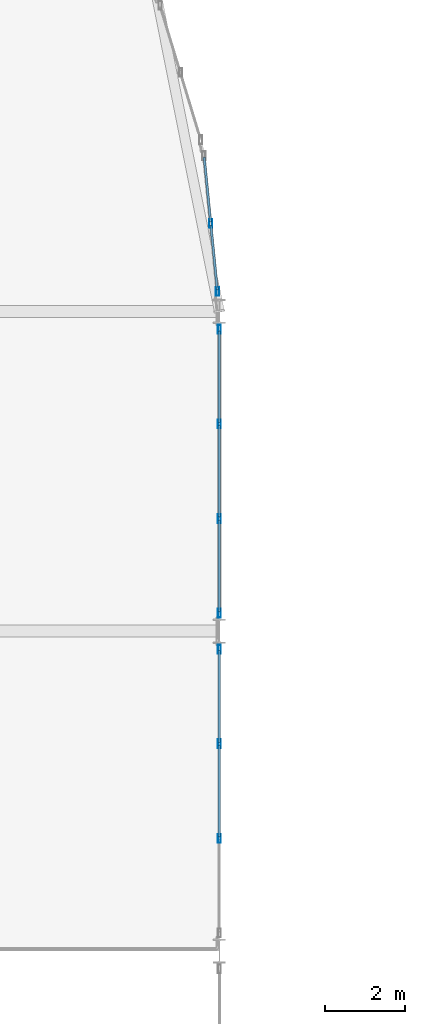
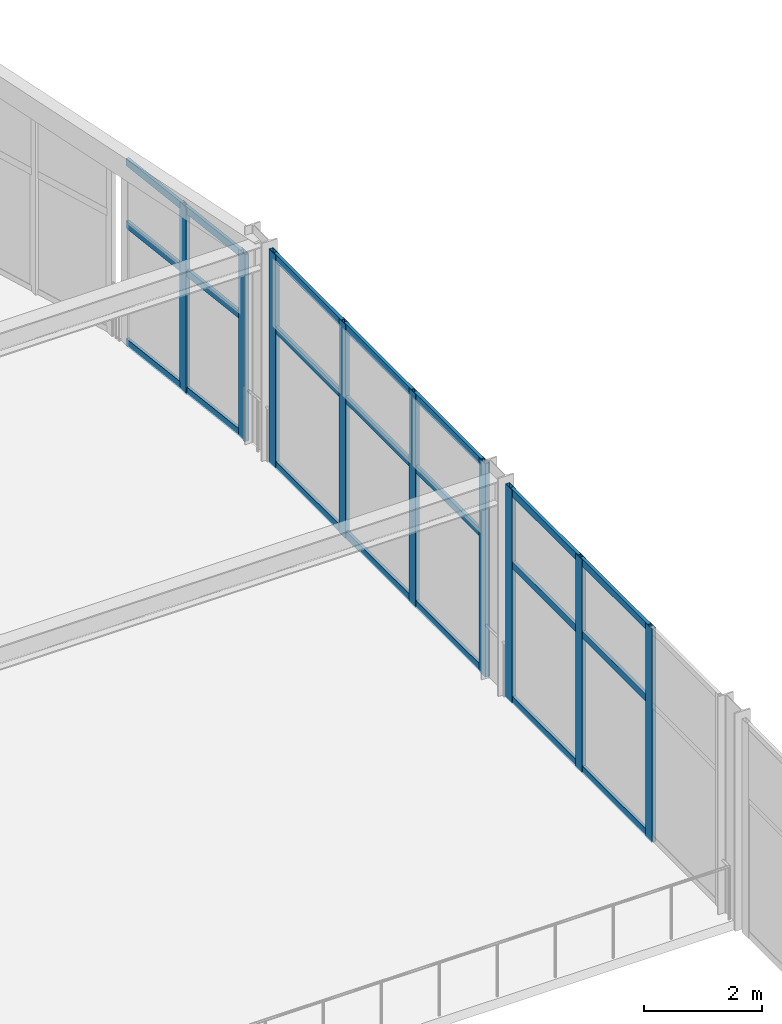
# One storey, part 47 of 105: 30 members, 3 elements without a shape of their own.
"""IFC4 building model written with IfcOpenShell, lengths in metres."""

from ifc_helpers import new_model, si_unit, direction, frame, origin, origin_2d, place, context, subcontext, project, spatial, hollow_rectangle, extrude, material, layer, layer_set, material_profile, profile_set, type_object, element, aggregate, save


model = new_model("IFC4")

# Units and contexts
model_context = context("Model", 3, precision=1e-05, world=origin(), true_north=direction((0.0, 1.0)))
body_context = subcontext(model_context, "Body", "Model", "MODEL_VIEW")
ifc_project = project(units=[si_unit("LENGTHUNIT", "METRE"), si_unit("AREAUNIT", "SQUARE_METRE"), si_unit("VOLUMEUNIT", "CUBIC_METRE"), si_unit("PLANEANGLEUNIT", "RADIAN"), si_unit("MASSUNIT", "GRAM", prefix="KILO")], contexts=[model_context])

# Site, building, storey
site_placement = place(None, origin())
site = spatial("IfcSite", under=ifc_project, at=site_placement, CompositionType="ELEMENT")
building_placement = place(site_placement, origin())
building = spatial("IfcBuilding", under=site, at=building_placement, Name="Marlcrest Central Station", CompositionType="ELEMENT")
storey_placement = place(building_placement, frame((0.0, 0.0, 15.0)))
storey = spatial("IfcBuildingStorey", under=building, at=storey_placement, Name="L03", CompositionType="ELEMENT", Elevation=15.0)

# Curtain wall, members
ifc_material_1 = material(Name="Anodised aluminium and hurricane laminated glass", Category="aluminium")
ifc_layer = layer(ifc_material_1, 0.219970703125, Name="CW-U1")
ifc_layer_set = layer_set([ifc_layer], Name="Anodised aluminium and hurricane laminated glass")
curtain_wall_type = type_object("IfcCurtainWallType", Name="CW-U1", PredefinedType="USERDEFINED", material=ifc_layer_set)
curtain_wall_1_placement = place(storey_placement, origin())
curtain_wall_1 = element("IfcCurtainWall", 1, at=curtain_wall_1_placement, inside=storey, type_object=curtain_wall_type, Name="cw-L03-0098", ObjectType="UNITISED_CURTAIN_WALL", PredefinedType="USERDEFINED")
ifc_material_2 = material(Name="Anodised aluminium 6063-T6", Category="aluminium")
ifc_material_profile_1 = material_profile(ifc_material_2, hollow_rectangle(XDim=0.080078125, YDim=0.219970703125, WallThickness=0.006103515625, at=origin_2d()), Name="AA-RHS 220x80x6")
ifc_profile_set_1 = profile_set([ifc_material_profile_1], Name="Anodised aluminium 6063-T6")
member_type_1 = type_object("IfcMemberType", Name="ML-01", PredefinedType="MULLION", material=ifc_profile_set_1)
member_1_placement = place(storey_placement, frame((128.783447265625, 112.6953125, -0.030029296875), z_axis=(0.0, 0.0, 1.0), x_axis=(1.0, 0.0, 0.0)))
member_1 = element("IfcMember", 2, at=member_1_placement, type_object=member_type_1, Name="cw-L03-0098-ml-1", PredefinedType="MULLION", context=body_context, shape_type="SweptSolid", body=[
    extrude(hollow_rectangle(XDim=0.080078125, YDim=0.219970703125, WallThickness=0.006103515625, at=origin_2d()), origin(), (0.0, 0.0, 1.0), 3.860107421875),
])
member_2_placement = place(storey_placement, frame((128.950927734375, 110.998291015625, -0.030029296875), z_axis=(0.0, 0.0, 1.0), x_axis=(1.0, 0.0, 0.0)))
member_2 = element("IfcMember", 3, at=member_2_placement, type_object=member_type_1, Name="cw-L03-0098-ml-2", PredefinedType="MULLION", context=body_context, shape_type="SweptSolid", body=[
    extrude(hollow_rectangle(XDim=0.080078125, YDim=0.219970703125, WallThickness=0.006103515625, at=origin_2d()), origin(), (0.0, 0.0, 1.0), 3.860107421875),
])

curtain_wall_2_placement = place(storey_placement, origin())
curtain_wall_2 = element("IfcCurtainWall", 4, at=curtain_wall_2_placement, inside=storey, type_object=curtain_wall_type, Name="cw-L03-0138", ObjectType="UNITISED_CURTAIN_WALL", PredefinedType="USERDEFINED")
member_3_placement = place(storey_placement, frame((129.0, 102.050048828125, -0.030029296875), z_axis=(0.0, 0.0, 1.0), x_axis=(1.0, 0.0, 0.0)))
member_3 = element("IfcMember", 5, at=member_3_placement, type_object=member_type_1, Name="cw-L03-0138-ml-0", PredefinedType="MULLION", context=body_context, shape_type="SweptSolid", body=[
    extrude(hollow_rectangle(XDim=0.080078125, YDim=0.219970703125, WallThickness=0.006103515625, at=origin_2d()), origin(), (0.0, 0.0, 1.0), 4.409912109375),
])
member_4_placement = place(storey_placement, frame((129.0, 99.683349609375, -0.030029296875), z_axis=(0.0, 0.0, 1.0), x_axis=(1.0, 0.0, 0.0)))
member_4 = element("IfcMember", 6, at=member_4_placement, type_object=member_type_1, Name="cw-L03-0138-ml-1", PredefinedType="MULLION", context=body_context, shape_type="SweptSolid", body=[
    extrude(hollow_rectangle(XDim=0.080078125, YDim=0.219970703125, WallThickness=0.006103515625, at=origin_2d()), origin(), (0.0, 0.0, 1.0), 4.409912109375),
])
member_5_placement = place(storey_placement, frame((129.0, 97.316650390625, -0.030029296875), z_axis=(0.0, 0.0, 1.0), x_axis=(1.0, 0.0, 0.0)))
member_5 = element("IfcMember", 7, at=member_5_placement, type_object=member_type_1, Name="cw-L03-0138-ml-2", PredefinedType="MULLION", context=body_context, shape_type="SweptSolid", body=[
    extrude(hollow_rectangle(XDim=0.080078125, YDim=0.219970703125, WallThickness=0.006103515625, at=origin_2d()), origin(), (0.0, 0.0, 1.0), 4.409912109375),
])

curtain_wall_3_placement = place(storey_placement, origin())
curtain_wall_3 = element("IfcCurtainWall", 8, at=curtain_wall_3_placement, inside=storey, type_object=curtain_wall_type, Name="cw-L03-0142", ObjectType="UNITISED_CURTAIN_WALL", PredefinedType="USERDEFINED")
member_6_placement = place(storey_placement, frame((129.0, 110.050048828125, -0.030029296875), z_axis=(0.0, 0.0, 1.0), x_axis=(1.0, 0.0, 0.0)))
member_6 = element("IfcMember", 9, at=member_6_placement, type_object=member_type_1, Name="cw-L03-0142-ml-0", PredefinedType="MULLION", context=body_context, shape_type="SweptSolid", body=[
    extrude(hollow_rectangle(XDim=0.080078125, YDim=0.219970703125, WallThickness=0.006103515625, at=origin_2d()), origin(), (0.0, 0.0, 1.0), 4.409912109375),
])
member_7_placement = place(storey_placement, frame((129.0, 107.683349609375, -0.030029296875), z_axis=(0.0, 0.0, 1.0), x_axis=(1.0, 0.0, 0.0)))
member_7 = element("IfcMember", 10, at=member_7_placement, type_object=member_type_1, Name="cw-L03-0142-ml-1", PredefinedType="MULLION", context=body_context, shape_type="SweptSolid", body=[
    extrude(hollow_rectangle(XDim=0.080078125, YDim=0.219970703125, WallThickness=0.006103515625, at=origin_2d()), origin(), (0.0, 0.0, 1.0), 4.409912109375),
])
member_8_placement = place(storey_placement, frame((129.0, 105.316650390625, -0.030029296875), z_axis=(0.0, 0.0, 1.0), x_axis=(1.0, 0.0, 0.0)))
member_8 = element("IfcMember", 11, at=member_8_placement, type_object=member_type_1, Name="cw-L03-0142-ml-2", PredefinedType="MULLION", context=body_context, shape_type="SweptSolid", body=[
    extrude(hollow_rectangle(XDim=0.080078125, YDim=0.219970703125, WallThickness=0.006103515625, at=origin_2d()), origin(), (0.0, 0.0, 1.0), 4.409912109375),
])
member_9_placement = place(storey_placement, frame((129.0, 102.949951171875, -0.030029296875), z_axis=(0.0, 0.0, 1.0), x_axis=(1.0, 0.0, 0.0)))
member_9 = element("IfcMember", 12, at=member_9_placement, type_object=member_type_1, Name="cw-L03-0142-ml-3", PredefinedType="MULLION", context=body_context, shape_type="SweptSolid", body=[
    extrude(hollow_rectangle(XDim=0.080078125, YDim=0.219970703125, WallThickness=0.006103515625, at=origin_2d()), origin(), (0.0, 0.0, 1.0), 4.409912109375),
])

# Member
ifc_material_profile_2 = material_profile(ifc_material_2, hollow_rectangle(XDim=0.06005859375, YDim=0.14990234375, WallThickness=0.00390625, at=origin_2d()), Name="AA-RHS 150x60x4")
ifc_profile_set_2 = profile_set([ifc_material_profile_2], Name="Anodised aluminium 6063-T6")
member_type_2 = type_object("IfcMemberType", Name="TR-01", PredefinedType="USERDEFINED", material=ifc_profile_set_2)
member_10_placement = place(storey_placement, frame((128.619873046875, 114.354248046875, 0.0400390625), z_axis=(0.0981681098, -0.995169845915, 0.0), x_axis=(0.995169845915, 0.0981681098, 0.0)))
member_10 = element("IfcMember", 13, at=member_10_placement, type_object=member_type_2, Name="cw-L03-0098-tr-0-sill", ObjectType="TRANSOM", PredefinedType="USERDEFINED", context=body_context, shape_type="SweptSolid", body=[
    extrude(hollow_rectangle(XDim=0.06005859375, YDim=0.14990234375, WallThickness=0.00390625, at=origin_2d()), origin(), (0.0, 0.0, 1.0), 1.62890625),
])

member_11_placement = place(storey_placement, frame((128.619873046875, 114.354248046875, 2.469970703125), z_axis=(0.0981681098, -0.995169845915, 0.0), x_axis=(0.995169845915, 0.0981681098, 0.0)))
member_11 = element("IfcMember", 14, at=member_11_placement, type_object=member_type_2, Name="cw-L03-0098-tr-0-mid", ObjectType="TRANSOM", PredefinedType="USERDEFINED", context=body_context, shape_type="SweptSolid", body=[
    extrude(hollow_rectangle(XDim=0.06005859375, YDim=0.14990234375, WallThickness=0.00390625, at=origin_2d()), origin(), (0.0, 0.0, 1.0), 1.62890625),
])

member_12_placement = place(storey_placement, frame((128.619873046875, 114.354248046875, 3.760009765625), z_axis=(0.0981681098, -0.995169845915, 0.0), x_axis=(0.995169845915, 0.0981681098, 0.0)))
member_12 = element("IfcMember", 15, at=member_12_placement, type_object=member_type_2, Name="cw-L03-0098-tr-0-head", ObjectType="TRANSOM", PredefinedType="USERDEFINED", context=body_context, shape_type="SweptSolid", body=[
    extrude(hollow_rectangle(XDim=0.06005859375, YDim=0.14990234375, WallThickness=0.00390625, at=origin_2d()), origin(), (0.0, 0.0, 1.0), 1.62890625),
])

member_13_placement = place(storey_placement, frame((128.787353515625, 112.657470703125, 0.0400390625), z_axis=(0.098005057893, -0.995185916614, 0.0), x_axis=(0.995185916614, 0.098005057893, 0.0)))
member_13 = element("IfcMember", 16, at=member_13_placement, type_object=member_type_2, Name="cw-L03-0098-tr-1-sill", ObjectType="TRANSOM", PredefinedType="USERDEFINED", context=body_context, shape_type="SweptSolid", body=[
    extrude(hollow_rectangle(XDim=0.06005859375, YDim=0.14990234375, WallThickness=0.00390625, at=origin_2d()), origin(), (0.0, 0.0, 1.0), 1.629150390625),
])

member_14_placement = place(storey_placement, frame((128.787353515625, 112.657470703125, 2.469970703125), z_axis=(0.098005057893, -0.995185916614, 0.0), x_axis=(0.995185916614, 0.098005057893, 0.0)))
member_14 = element("IfcMember", 17, at=member_14_placement, type_object=member_type_2, Name="cw-L03-0098-tr-1-mid", ObjectType="TRANSOM", PredefinedType="USERDEFINED", context=body_context, shape_type="SweptSolid", body=[
    extrude(hollow_rectangle(XDim=0.06005859375, YDim=0.14990234375, WallThickness=0.00390625, at=origin_2d()), origin(), (0.0, 0.0, 1.0), 1.629150390625),
])

member_15_placement = place(storey_placement, frame((128.787353515625, 112.657470703125, 3.760009765625), z_axis=(0.098005057893, -0.995185916614, 0.0), x_axis=(0.995185916614, 0.098005057893, 0.0)))
member_15 = element("IfcMember", 18, at=member_15_placement, type_object=member_type_2, Name="cw-L03-0098-tr-1-head", ObjectType="TRANSOM", PredefinedType="USERDEFINED", context=body_context, shape_type="SweptSolid", body=[
    extrude(hollow_rectangle(XDim=0.06005859375, YDim=0.14990234375, WallThickness=0.00390625, at=origin_2d()), origin(), (0.0, 0.0, 1.0), 1.629150390625),
])

aggregate(curtain_wall_1, [member_1, member_2, member_10, member_11, member_12, member_13, member_14, member_15])

member_16_placement = place(storey_placement, frame((129.0, 102.011962890625, 0.0400390625), z_axis=(0.0, -1.0, 0.0), x_axis=(1.0, 0.0, 0.0)))
member_16 = element("IfcMember", 19, at=member_16_placement, type_object=member_type_2, Name="cw-L03-0138-tr-0-sill", ObjectType="TRANSOM", PredefinedType="USERDEFINED", context=body_context, shape_type="SweptSolid", body=[
    extrude(hollow_rectangle(XDim=0.06005859375, YDim=0.14990234375, WallThickness=0.00390625, at=origin_2d()), origin(), (0.0, 0.0, 1.0), 2.290771484375),
])

member_17_placement = place(storey_placement, frame((129.0, 102.011962890625, 2.827880859375), z_axis=(0.0, -1.0, 0.0), x_axis=(1.0, 0.0, 0.0)))
member_17 = element("IfcMember", 20, at=member_17_placement, type_object=member_type_2, Name="cw-L03-0138-tr-0-mid", ObjectType="TRANSOM", PredefinedType="USERDEFINED", context=body_context, shape_type="SweptSolid", body=[
    extrude(hollow_rectangle(XDim=0.06005859375, YDim=0.14990234375, WallThickness=0.00390625, at=origin_2d()), origin(), (0.0, 0.0, 1.0), 2.290771484375),
])

member_18_placement = place(storey_placement, frame((129.0, 102.011962890625, 4.31005859375), z_axis=(0.0, -1.0, 0.0), x_axis=(1.0, 0.0, 0.0)))
member_18 = element("IfcMember", 21, at=member_18_placement, type_object=member_type_2, Name="cw-L03-0138-tr-0-head", ObjectType="TRANSOM", PredefinedType="USERDEFINED", context=body_context, shape_type="SweptSolid", body=[
    extrude(hollow_rectangle(XDim=0.06005859375, YDim=0.14990234375, WallThickness=0.00390625, at=origin_2d()), origin(), (0.0, 0.0, 1.0), 2.290771484375),
])

member_19_placement = place(storey_placement, frame((129.0, 99.645263671875, 0.0400390625), z_axis=(0.0, -1.0, 0.0), x_axis=(1.0, 0.0, 0.0)))
member_19 = element("IfcMember", 22, at=member_19_placement, type_object=member_type_2, Name="cw-L03-0138-tr-1-sill", ObjectType="TRANSOM", PredefinedType="USERDEFINED", context=body_context, shape_type="SweptSolid", body=[
    extrude(hollow_rectangle(XDim=0.06005859375, YDim=0.14990234375, WallThickness=0.00390625, at=origin_2d()), origin(), (0.0, 0.0, 1.0), 2.29052734375),
])

member_20_placement = place(storey_placement, frame((129.0, 99.645263671875, 2.827880859375), z_axis=(0.0, -1.0, 0.0), x_axis=(1.0, 0.0, 0.0)))
member_20 = element("IfcMember", 23, at=member_20_placement, type_object=member_type_2, Name="cw-L03-0138-tr-1-mid", ObjectType="TRANSOM", PredefinedType="USERDEFINED", context=body_context, shape_type="SweptSolid", body=[
    extrude(hollow_rectangle(XDim=0.06005859375, YDim=0.14990234375, WallThickness=0.00390625, at=origin_2d()), origin(), (0.0, 0.0, 1.0), 2.29052734375),
])

member_21_placement = place(storey_placement, frame((129.0, 99.645263671875, 4.31005859375), z_axis=(0.0, -1.0, 0.0), x_axis=(1.0, 0.0, 0.0)))
member_21 = element("IfcMember", 24, at=member_21_placement, type_object=member_type_2, Name="cw-L03-0138-tr-1-head", ObjectType="TRANSOM", PredefinedType="USERDEFINED", context=body_context, shape_type="SweptSolid", body=[
    extrude(hollow_rectangle(XDim=0.06005859375, YDim=0.14990234375, WallThickness=0.00390625, at=origin_2d()), origin(), (0.0, 0.0, 1.0), 2.29052734375),
])

aggregate(curtain_wall_2, [member_3, member_4, member_5, member_16, member_17, member_18, member_19, member_20, member_21])

member_22_placement = place(storey_placement, frame((129.0, 110.011962890625, 0.0400390625), z_axis=(0.0, -1.0, 0.0), x_axis=(1.0, 0.0, 0.0)))
member_22 = element("IfcMember", 25, at=member_22_placement, type_object=member_type_2, Name="cw-L03-0142-tr-0-sill", ObjectType="TRANSOM", PredefinedType="USERDEFINED", context=body_context, shape_type="SweptSolid", body=[
    extrude(hollow_rectangle(XDim=0.06005859375, YDim=0.14990234375, WallThickness=0.00390625, at=origin_2d()), origin(), (0.0, 0.0, 1.0), 2.290771484375),
])

member_23_placement = place(storey_placement, frame((129.0, 110.011962890625, 2.827880859375), z_axis=(0.0, -1.0, 0.0), x_axis=(1.0, 0.0, 0.0)))
member_23 = element("IfcMember", 26, at=member_23_placement, type_object=member_type_2, Name="cw-L03-0142-tr-0-mid", ObjectType="TRANSOM", PredefinedType="USERDEFINED", context=body_context, shape_type="SweptSolid", body=[
    extrude(hollow_rectangle(XDim=0.06005859375, YDim=0.14990234375, WallThickness=0.00390625, at=origin_2d()), origin(), (0.0, 0.0, 1.0), 2.290771484375),
])

member_24_placement = place(storey_placement, frame((129.0, 110.011962890625, 4.31005859375), z_axis=(0.0, -1.0, 0.0), x_axis=(1.0, 0.0, 0.0)))
member_24 = element("IfcMember", 27, at=member_24_placement, type_object=member_type_2, Name="cw-L03-0142-tr-0-head", ObjectType="TRANSOM", PredefinedType="USERDEFINED", context=body_context, shape_type="SweptSolid", body=[
    extrude(hollow_rectangle(XDim=0.06005859375, YDim=0.14990234375, WallThickness=0.00390625, at=origin_2d()), origin(), (0.0, 0.0, 1.0), 2.290771484375),
])

member_25_placement = place(storey_placement, frame((129.0, 107.645263671875, 0.0400390625), z_axis=(0.0, -1.0, 0.0), x_axis=(1.0, 0.0, 0.0)))
member_25 = element("IfcMember", 28, at=member_25_placement, type_object=member_type_2, Name="cw-L03-0142-tr-1-sill", ObjectType="TRANSOM", PredefinedType="USERDEFINED", context=body_context, shape_type="SweptSolid", body=[
    extrude(hollow_rectangle(XDim=0.06005859375, YDim=0.14990234375, WallThickness=0.00390625, at=origin_2d()), origin(), (0.0, 0.0, 1.0), 2.29052734375),
])

member_26_placement = place(storey_placement, frame((129.0, 107.645263671875, 2.827880859375), z_axis=(0.0, -1.0, 0.0), x_axis=(1.0, 0.0, 0.0)))
member_26 = element("IfcMember", 29, at=member_26_placement, type_object=member_type_2, Name="cw-L03-0142-tr-1-mid", ObjectType="TRANSOM", PredefinedType="USERDEFINED", context=body_context, shape_type="SweptSolid", body=[
    extrude(hollow_rectangle(XDim=0.06005859375, YDim=0.14990234375, WallThickness=0.00390625, at=origin_2d()), origin(), (0.0, 0.0, 1.0), 2.29052734375),
])

member_27_placement = place(storey_placement, frame((129.0, 107.645263671875, 4.31005859375), z_axis=(0.0, -1.0, 0.0), x_axis=(1.0, 0.0, 0.0)))
member_27 = element("IfcMember", 30, at=member_27_placement, type_object=member_type_2, Name="cw-L03-0142-tr-1-head", ObjectType="TRANSOM", PredefinedType="USERDEFINED", context=body_context, shape_type="SweptSolid", body=[
    extrude(hollow_rectangle(XDim=0.06005859375, YDim=0.14990234375, WallThickness=0.00390625, at=origin_2d()), origin(), (0.0, 0.0, 1.0), 2.29052734375),
])

member_28_placement = place(storey_placement, frame((129.0, 105.27880859375, 0.0400390625), z_axis=(0.0, -1.0, 0.0), x_axis=(1.0, 0.0, 0.0)))
member_28 = element("IfcMember", 31, at=member_28_placement, type_object=member_type_2, Name="cw-L03-0142-tr-2-sill", ObjectType="TRANSOM", PredefinedType="USERDEFINED", context=body_context, shape_type="SweptSolid", body=[
    extrude(hollow_rectangle(XDim=0.06005859375, YDim=0.14990234375, WallThickness=0.00390625, at=origin_2d()), origin(), (0.0, 0.0, 1.0), 2.290771484375),
])

member_29_placement = place(storey_placement, frame((129.0, 105.27880859375, 2.827880859375), z_axis=(0.0, -1.0, 0.0), x_axis=(1.0, 0.0, 0.0)))
member_29 = element("IfcMember", 32, at=member_29_placement, type_object=member_type_2, Name="cw-L03-0142-tr-2-mid", ObjectType="TRANSOM", PredefinedType="USERDEFINED", context=body_context, shape_type="SweptSolid", body=[
    extrude(hollow_rectangle(XDim=0.06005859375, YDim=0.14990234375, WallThickness=0.00390625, at=origin_2d()), origin(), (0.0, 0.0, 1.0), 2.290771484375),
])

member_30_placement = place(storey_placement, frame((129.0, 105.27880859375, 4.31005859375), z_axis=(0.0, -1.0, 0.0), x_axis=(1.0, 0.0, 0.0)))
member_30 = element("IfcMember", 33, at=member_30_placement, type_object=member_type_2, Name="cw-L03-0142-tr-2-head", ObjectType="TRANSOM", PredefinedType="USERDEFINED", context=body_context, shape_type="SweptSolid", body=[
    extrude(hollow_rectangle(XDim=0.06005859375, YDim=0.14990234375, WallThickness=0.00390625, at=origin_2d()), origin(), (0.0, 0.0, 1.0), 2.290771484375),
])

aggregate(curtain_wall_3, [member_6, member_7, member_8, member_9, member_22, member_23, member_24, member_25, member_26, member_27, member_28, member_29, member_30])

save(model, "model.ifc")
